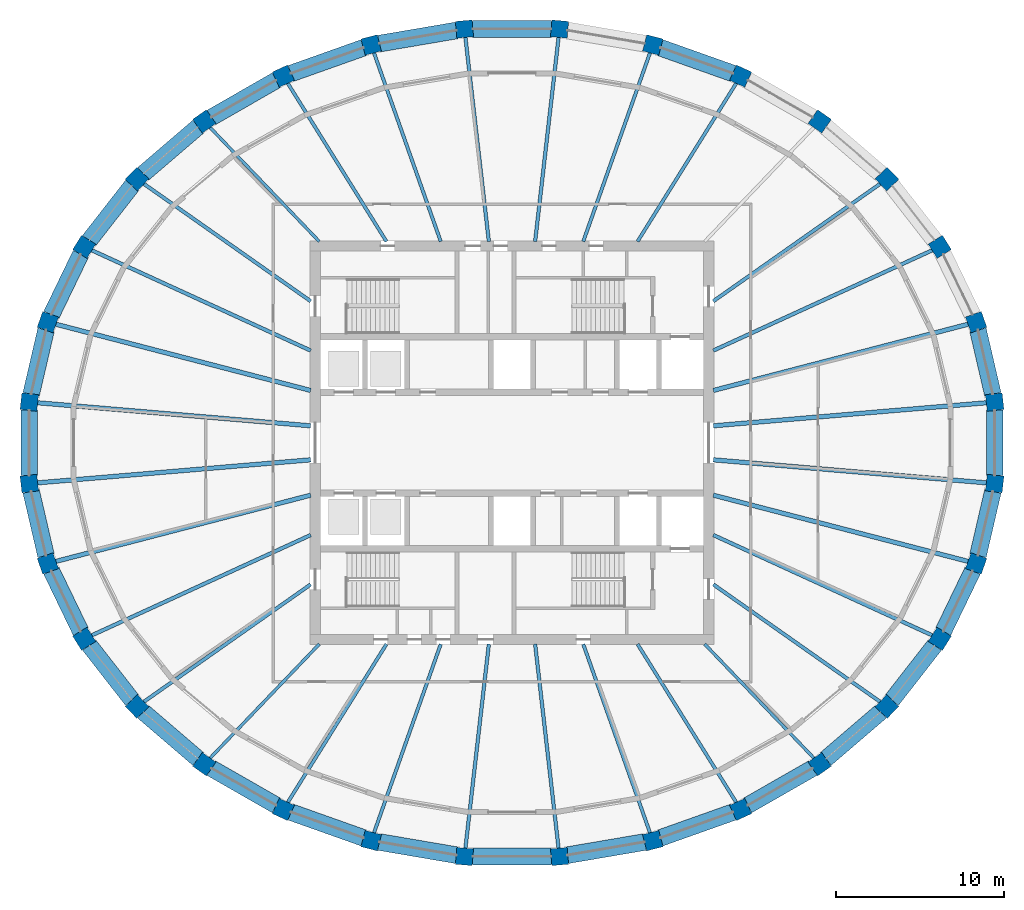
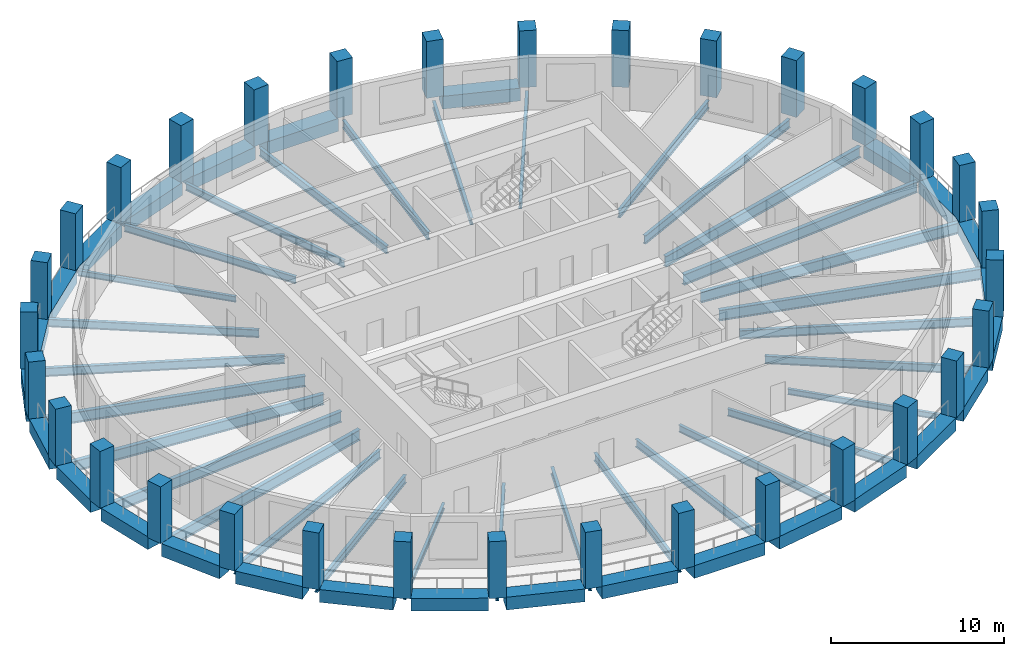
# One storey, part 1 of 10: 58 beams, 32 columns.
"""IFC4 building model written with IfcOpenShell, lengths in metres."""

from ifc_helpers import new_model, si_unit, direction, frame, origin, origin_2d, place, context, subcontext, project, spatial, rectangle, i_section, extrude, material, material_profile, profile_set, type_object, element, save


model = new_model("IFC4")

# Units and contexts
model_context = context("Model", 3, precision=1e-05, world=origin(), true_north=direction((0.0, 1.0)))
body_context = subcontext(model_context, "Body", "Model", "MODEL_VIEW")
ifc_project = project(units=[si_unit("LENGTHUNIT", "METRE"), si_unit("AREAUNIT", "SQUARE_METRE"), si_unit("VOLUMEUNIT", "CUBIC_METRE"), si_unit("PLANEANGLEUNIT", "RADIAN"), si_unit("MASSUNIT", "GRAM", prefix="KILO")], contexts=[model_context])

# Site, building, storey
site_placement = place(None, origin())
site = spatial("IfcSite", under=ifc_project, at=site_placement, CompositionType="ELEMENT")
building_placement = place(site_placement, origin())
building = spatial("IfcBuilding", under=site, at=building_placement, Name="Halqa Exchange Tower", CompositionType="ELEMENT")
storey_placement = place(building_placement, frame((0.0, 0.0, 308.300048828125)))
storey = spatial("IfcBuildingStorey", under=building, at=storey_placement, Name="L72", CompositionType="ELEMENT", Elevation=308.300048828125)

# Columns
ifc_material_1 = material(Name="Concrete C50/60", Category="concrete")
ifc_material_profile_1 = material_profile(ifc_material_1, rectangle(XDim=1.0, YDim=1.0, at=origin_2d()), Name="1000 x 1000")
ifc_profile_set_1 = profile_set([ifc_material_profile_1], Name="Concrete C50/60")
column_type = type_object("IfcColumnType", Name="RC ring column 1000 x 1000 C50/60", PredefinedType="COLUMN", material=ifc_profile_set_1)
for number, where, z_axis, x_axis, name in (
    (1, (28.703125, 2.423095703125, 0.0), (0.0, 0.0, 1.0), (-0.114149986297, 0.993463527578, 0.0), "Ring column 1"),
    (2, (27.60009765625, 7.176513671875, 0.0), (0.0, 0.0, 1.0), (-0.333622588243, 0.942706724604, 0.0), "Ring column 2"),
    (3, (25.4365234375, 11.65380859375, 0.0), (0.0, 0.0, 1.0), (-0.529150863019, 0.848527762755, 0.0), "Ring column 3"),
    (4, (22.295166015625, 15.683349609375, 0.0), (0.0, 0.0, 1.0), (-0.69158113391, 0.722298785282, 0.0), "Ring column 4"),
    (5, (18.297119140625, 19.110107421875, 0.0), (0.0, 0.0, 1.0), (-0.81790376713, 0.575355044919, 0.0), "Ring column 5"),
    (6, (13.59619140625, 21.802734375, 0.0), (0.0, 0.0, 1.0), (-0.909126368869, 0.416520402174, 0.0), "Ring column 6"),
    (7, (8.372314453125, 23.6572265625, 0.0), (0.0, 0.0, 1.0), (-0.967819503571, 0.251645402317, 0.0), "Ring column 7"),
    (8, (2.826904296875, 24.602783203125, 0.0), (0.0, 0.0, 1.0), (-0.996455225341, 0.084124811391, 0.0), "Ring column 8"),
    (9, (-2.826904296875, 24.602783203125, 0.0), (0.0, 0.0, 1.0), (-0.996455225341, -0.084124811391, 0.0), "Ring column 9"),
    (10, (-8.372314453125, 23.6572265625, 0.0), (0.0, 0.0, 1.0), (-0.967819503571, -0.251645402317, 0.0), "Ring column 10"),
    (11, (-13.59619140625, 21.802734375, 0.0), (0.0, 0.0, 1.0), (-0.909126368869, -0.416520402174, 0.0), "Ring column 11"),
    (12, (-18.297119140625, 19.110107421875, 0.0), (0.0, 0.0, 1.0), (-0.81790376713, -0.575355044919, 0.0), "Ring column 12"),
    (13, (-22.295166015625, 15.683349609375, 0.0), (0.0, 0.0, 1.0), (-0.69158113391, -0.722298785282, 0.0), "Ring column 13"),
    (14, (-25.4365234375, 11.65380859375, 0.0), (0.0, 0.0, 1.0), (-0.529150863019, -0.848527762755, 0.0), "Ring column 14"),
    (15, (-27.60009765625, 7.176513671875, 0.0), (0.0, 0.0, 1.0), (-0.333622588243, -0.942706724604, 0.0), "Ring column 15"),
    (16, (-28.703125, 2.423095703125, 0.0), (0.0, 0.0, 1.0), (-0.114149986297, -0.993463527578, 0.0), "Ring column 16"),
    (17, (-28.703125, -2.423095703125, 0.0), (0.0, 0.0, 1.0), (0.114149986297, -0.993463527578, 0.0), "Ring column 17"),
    (18, (-27.60009765625, -7.176513671875, 0.0), (0.0, 0.0, 1.0), (0.333622588243, -0.942706724604, 0.0), "Ring column 18"),
    (19, (-25.4365234375, -11.65380859375, 0.0), (0.0, 0.0, 1.0), (0.529150863019, -0.848527762755, 0.0), "Ring column 19"),
    (20, (-22.295166015625, -15.683349609375, 0.0), (0.0, 0.0, 1.0), (0.69158113391, -0.722298785282, 0.0), "Ring column 20"),
    (21, (-18.297119140625, -19.110107421875, 0.0), (0.0, 0.0, 1.0), (0.81790376713, -0.575355044919, 0.0), "Ring column 21"),
    (22, (-13.59619140625, -21.802734375, 0.0), (0.0, 0.0, 1.0), (0.909126368869, -0.416520402174, 0.0), "Ring column 22"),
    (23, (-8.372314453125, -23.6572265625, 0.0), (0.0, 0.0, 1.0), (0.967819503571, -0.251645402317, 0.0), "Ring column 23"),
    (24, (-2.826904296875, -24.602783203125, 0.0), (0.0, 0.0, 1.0), (0.996455225341, -0.084124811391, 0.0), "Ring column 24"),
    (25, (2.826904296875, -24.602783203125, 0.0), (0.0, 0.0, 1.0), (0.996455225341, 0.084124811391, 0.0), "Ring column 25"),
    (26, (8.372314453125, -23.6572265625, 0.0), (0.0, 0.0, 1.0), (0.967819503571, 0.251645402317, 0.0), "Ring column 26"),
    (27, (13.59619140625, -21.802734375, 0.0), (0.0, 0.0, 1.0), (0.909126368869, 0.416520402174, 0.0), "Ring column 27"),
    (28, (18.297119140625, -19.110107421875, 0.0), (0.0, 0.0, 1.0), (0.81790376713, 0.575355044919, 0.0), "Ring column 28"),
    (29, (22.295166015625, -15.683349609375, 0.0), (0.0, 0.0, 1.0), (0.69158113391, 0.722298785282, 0.0), "Ring column 29"),
    (30, (25.4365234375, -11.65380859375, 0.0), (0.0, 0.0, 1.0), (0.529150863019, 0.848527762755, 0.0), "Ring column 30"),
    (31, (27.60009765625, -7.176513671875, 0.0), (0.0, 0.0, 1.0), (0.333622588243, 0.942706724604, 0.0), "Ring column 31"),
    (32, (28.703125, -2.423095703125, 0.0), (0.0, 0.0, 1.0), (0.114149986297, 0.993463527578, 0.0), "Ring column 32"),
):
    element("IfcColumn", number, at=place(storey_placement, frame(where, z_axis=z_axis, x_axis=x_axis)), inside=storey, type_object=column_type, Name=name, PredefinedType="COLUMN", context=body_context, shape_type="SweptSolid", body=[
        extrude(rectangle(XDim=1.0, YDim=1.0, at=origin_2d()), origin(), (0.0, 0.0, 1.0), 4.0),
    ])

# Beams
ifc_material_2 = material(Name="Steel S355", Category="steel")
ifc_material_profile_2 = material_profile(ifc_material_2, i_section(OverallWidth=0.179931640625, OverallDepth=0.39990234375, WebThickness=0.008544921875, FlangeThickness=0.013427734375, FilletRadius=0.02099609375, at=origin_2d()), Name="IPE 400")
ifc_profile_set_2 = profile_set([ifc_material_profile_2], Name="Steel S355")
beam_type_1 = type_object("IfcBeamType", Name="Floor beam IPE 400", PredefinedType="BEAM", material=ifc_profile_set_2)
for number, where, z_axis, x_axis, name in (
    (33, (-11.46240234375, 11.9716796875, -0.5), (-0.69157007379, 0.722309374879, 0.0), (-0.722309374879, -0.69157007379, 0.0), "Radial beam 12"),
    (34, (-11.46240234375, -11.9716796875, -0.5), (-0.69157007379, -0.722309374879, 0.0), (0.722309374879, -0.69157007379, 0.0), "Radial beam 21"),
    (35, (11.46240234375, -11.9716796875, -0.5), (0.69157007379, -0.722309374879, 0.0), (0.722309374879, 0.69157007379, 0.0), "Radial beam 28"),
):
    element("IfcBeam", number, at=place(storey_placement, frame(where, z_axis=z_axis, x_axis=x_axis)), inside=storey, type_object=beam_type_1, Name=name, PredefinedType="BEAM", context=body_context, shape_type="SweptSolid", body=[
        extrude(i_section(OverallWidth=0.179931640625, OverallDepth=0.39990234375, WebThickness=0.008544921875, FlangeThickness=0.013427734375, FilletRadius=0.02099609375, at=origin_2d()), origin(), (0.0, 0.0, 1.0), 9.5068359375),
    ])
ifc_material_profile_3 = material_profile(ifc_material_2, i_section(OverallWidth=0.199951171875, OverallDepth=0.5, WebThickness=0.01025390625, FlangeThickness=0.01611328125, FilletRadius=0.02099609375, at=origin_2d()), Name="IPE 500")
ifc_profile_set_3 = profile_set([ifc_material_profile_3], Name="Steel S355")
beam_type_2 = type_object("IfcBeamType", Name="Floor beam IPE 500", PredefinedType="BEAM", material=ifc_profile_set_3)
beam_1_placement = place(storey_placement, frame((7.4658203125, 11.97216796875, -0.550048828125), z_axis=(0.529147047126, 0.848530142374, 0.0), x_axis=(-0.848530142374, 0.529147047126, 0.0)))
element("IfcBeam", 36, at=beam_1_placement, inside=storey, type_object=beam_type_2, Name="Radial beam 6", PredefinedType="BEAM", context=body_context, shape_type="SweptSolid", body=[
    extrude(i_section(OverallWidth=0.199951171875, OverallDepth=0.5, WebThickness=0.01025390625, FlangeThickness=0.01611328125, FilletRadius=0.02099609375, at=origin_2d()), origin(), (0.0, 0.0, 1.0), 11.20947265625),
])
for number, where, z_axis, x_axis, name in (
    (37, (4.237060546875, 11.97216796875, -0.550048828125), (0.33361780308, 0.942708418053, 0.0), (-0.942708418053, 0.33361780308, 0.0), "Radial beam 7"),
    (38, (-4.237060546875, 11.97216796875, -0.550048828125), (-0.33361780308, 0.942708418053, 0.0), (-0.942708418053, -0.33361780308, 0.0), "Radial beam 10"),
):
    element("IfcBeam", number, at=place(storey_placement, frame(where, z_axis=z_axis, x_axis=x_axis)), inside=storey, type_object=beam_type_2, Name=name, PredefinedType="BEAM", context=body_context, shape_type="SweptSolid", body=[
        extrude(i_section(OverallWidth=0.199951171875, OverallDepth=0.5, WebThickness=0.01025390625, FlangeThickness=0.01611328125, FilletRadius=0.02099609375, at=origin_2d()), origin(), (0.0, 0.0, 1.0), 12.021240234375),
    ])
for number, where, z_axis, x_axis, name in (
    (39, (-7.4658203125, 11.97216796875, -0.550048828125), (-0.529147047126, 0.848530142374, 0.0), (-0.848530142374, -0.529147047126, 0.0), "Radial beam 11"),
    (40, (-7.4658203125, -11.97216796875, -0.550048828125), (-0.529147047126, -0.848530142374, 0.0), (0.848530142374, -0.529147047126, 0.0), "Radial beam 22"),
):
    element("IfcBeam", number, at=place(storey_placement, frame(where, z_axis=z_axis, x_axis=x_axis)), inside=storey, type_object=beam_type_2, Name=name, PredefinedType="BEAM", context=body_context, shape_type="SweptSolid", body=[
        extrude(i_section(OverallWidth=0.199951171875, OverallDepth=0.5, WebThickness=0.01025390625, FlangeThickness=0.01611328125, FilletRadius=0.02099609375, at=origin_2d()), origin(), (0.0, 0.0, 1.0), 11.20947265625),
    ])
for number, where, z_axis, x_axis, name in (
    (41, (-4.237060546875, -11.97216796875, -0.550048828125), (-0.33361780308, -0.942708418053, 0.0), (0.942708418053, -0.33361780308, 0.0), "Radial beam 23"),
    (42, (4.237060546875, -11.97216796875, -0.550048828125), (0.33361780308, -0.942708418053, 0.0), (0.942708418053, 0.33361780308, 0.0), "Radial beam 26"),
):
    element("IfcBeam", number, at=place(storey_placement, frame(where, z_axis=z_axis, x_axis=x_axis)), inside=storey, type_object=beam_type_2, Name=name, PredefinedType="BEAM", context=body_context, shape_type="SweptSolid", body=[
        extrude(i_section(OverallWidth=0.199951171875, OverallDepth=0.5, WebThickness=0.01025390625, FlangeThickness=0.01611328125, FilletRadius=0.02099609375, at=origin_2d()), origin(), (0.0, 0.0, 1.0), 12.021240234375),
    ])
beam_2_placement = place(storey_placement, frame((7.4658203125, -11.97216796875, -0.550048828125), z_axis=(0.529147047126, -0.848530142374, 0.0), x_axis=(0.848530142374, 0.529147047126, 0.0)))
element("IfcBeam", 43, at=beam_2_placement, inside=storey, type_object=beam_type_2, Name="Radial beam 27", PredefinedType="BEAM", context=body_context, shape_type="SweptSolid", body=[
    extrude(i_section(OverallWidth=0.199951171875, OverallDepth=0.5, WebThickness=0.01025390625, FlangeThickness=0.01611328125, FilletRadius=0.02099609375, at=origin_2d()), origin(), (0.0, 0.0, 1.0), 11.20947265625),
])
ifc_material_profile_4 = material_profile(ifc_material_2, i_section(OverallWidth=0.2099609375, OverallDepth=0.550048828125, WebThickness=0.010986328125, FlangeThickness=0.01708984375, FilletRadius=0.02392578125, at=origin_2d()), Name="IPE 550")
ifc_profile_set_4 = profile_set([ifc_material_profile_4], Name="Steel S355")
beam_type_3 = type_object("IfcBeamType", Name="Floor beam IPE 550", PredefinedType="BEAM", material=ifc_profile_set_4)
beam_3_placement = place(storey_placement, frame((11.97265625, 8.422119140625, -0.574951171875), z_axis=(0.817912755627, 0.575342266988, 0.0), x_axis=(-0.575342266988, 0.817912755627, 0.0)))
element("IfcBeam", 44, at=beam_3_placement, inside=storey, type_object=beam_type_3, Name="Radial beam 4", PredefinedType="BEAM", context=body_context, shape_type="SweptSolid", body=[
    extrude(i_section(OverallWidth=0.2099609375, OverallDepth=0.550048828125, WebThickness=0.010986328125, FlangeThickness=0.01708984375, FilletRadius=0.02392578125, at=origin_2d()), origin(), (0.0, 0.0, 1.0), 12.24462890625),
])
for number, where, z_axis, x_axis, name in (
    (45, (1.37548828125, 11.9716796875, -0.574951171875), (0.114156338833, 0.993462797645, 0.0), (-0.993462797645, 0.114156338833, 0.0), "Radial beam 8"),
    (46, (-1.37548828125, 11.9716796875, -0.574951171875), (-0.114156338833, 0.993462797645, 0.0), (-0.993462797645, -0.114156338833, 0.0), "Radial beam 9"),
):
    element("IfcBeam", number, at=place(storey_placement, frame(where, z_axis=z_axis, x_axis=x_axis)), inside=storey, type_object=beam_type_3, Name=name, PredefinedType="BEAM", context=body_context, shape_type="SweptSolid", body=[
        extrude(i_section(OverallWidth=0.2099609375, OverallDepth=0.550048828125, WebThickness=0.010986328125, FlangeThickness=0.01708984375, FilletRadius=0.02392578125, at=origin_2d()), origin(), (0.0, 0.0, 1.0), 12.342041015625),
    ])
for number, where, z_axis, x_axis, name in (
    (47, (-11.97265625, 8.422119140625, -0.574951171875), (-0.817912755627, 0.575342266988, 0.0), (-0.575342266988, -0.817912755627, 0.0), "Radial beam 13"),
    (48, (-11.97265625, -8.422119140625, -0.574951171875), (-0.817912755627, -0.575342266988, 0.0), (0.575342266988, -0.817912755627, 0.0), "Radial beam 20"),
):
    element("IfcBeam", number, at=place(storey_placement, frame(where, z_axis=z_axis, x_axis=x_axis)), inside=storey, type_object=beam_type_3, Name=name, PredefinedType="BEAM", context=body_context, shape_type="SweptSolid", body=[
        extrude(i_section(OverallWidth=0.2099609375, OverallDepth=0.550048828125, WebThickness=0.010986328125, FlangeThickness=0.01708984375, FilletRadius=0.02392578125, at=origin_2d()), origin(), (0.0, 0.0, 1.0), 12.24462890625),
    ])
for number, where, z_axis, x_axis, name in (
    (49, (-1.37548828125, -11.9716796875, -0.574951171875), (-0.114156338833, -0.993462797645, 0.0), (0.993462797645, -0.114156338833, 0.0), "Radial beam 24"),
    (50, (1.37548828125, -11.9716796875, -0.574951171875), (0.114156338833, -0.993462797645, 0.0), (0.993462797645, 0.114156338833, 0.0), "Radial beam 25"),
):
    element("IfcBeam", number, at=place(storey_placement, frame(where, z_axis=z_axis, x_axis=x_axis)), inside=storey, type_object=beam_type_3, Name=name, PredefinedType="BEAM", context=body_context, shape_type="SweptSolid", body=[
        extrude(i_section(OverallWidth=0.2099609375, OverallDepth=0.550048828125, WebThickness=0.010986328125, FlangeThickness=0.01708984375, FilletRadius=0.02392578125, at=origin_2d()), origin(), (0.0, 0.0, 1.0), 12.342041015625),
    ])
beam_4_placement = place(storey_placement, frame((11.97265625, -8.422119140625, -0.574951171875), z_axis=(0.817912755627, -0.575342266988, 0.0), x_axis=(0.575342266988, 0.817912755627, 0.0)))
element("IfcBeam", 51, at=beam_4_placement, inside=storey, type_object=beam_type_3, Name="Radial beam 29", PredefinedType="BEAM", context=body_context, shape_type="SweptSolid", body=[
    extrude(i_section(OverallWidth=0.2099609375, OverallDepth=0.550048828125, WebThickness=0.010986328125, FlangeThickness=0.01708984375, FilletRadius=0.02392578125, at=origin_2d()), origin(), (0.0, 0.0, 1.0), 12.24462890625),
])
ifc_material_profile_5 = material_profile(ifc_material_2, i_section(OverallWidth=0.219970703125, OverallDepth=0.60009765625, WebThickness=0.011962890625, FlangeThickness=0.01904296875, FilletRadius=0.02392578125, at=origin_2d()), Name="IPE 600")
ifc_profile_set_5 = profile_set([ifc_material_profile_5], Name="Steel S355")
beam_type_4 = type_object("IfcBeamType", Name="Floor beam IPE 600", PredefinedType="BEAM", material=ifc_profile_set_5)
for number, where, z_axis, x_axis, name in (
    (52, (11.97216796875, 5.485107421875, -0.60009765625), (0.909125140618, 0.41652308303, 0.0), (-0.41652308303, 0.909125140618, 0.0), "Radial beam 3"),
    (53, (-11.97216796875, 5.485107421875, -0.60009765625), (-0.909125140618, 0.41652308303, 0.0), (-0.41652308303, -0.909125140618, 0.0), "Radial beam 14"),
    (54, (-11.97216796875, -5.485107421875, -0.60009765625), (-0.909125140618, -0.41652308303, 0.0), (0.41652308303, -0.909125140618, 0.0), "Radial beam 19"),
    (55, (11.97216796875, -5.485107421875, -0.60009765625), (0.909125140618, -0.41652308303, 0.0), (0.41652308303, 0.909125140618, 0.0), "Radial beam 30"),
):
    element("IfcBeam", number, at=place(storey_placement, frame(where, z_axis=z_axis, x_axis=x_axis)), inside=storey, type_object=beam_type_4, Name=name, PredefinedType="BEAM", context=body_context, shape_type="SweptSolid", body=[
        extrude(i_section(OverallWidth=0.219970703125, OverallDepth=0.60009765625, WebThickness=0.011962890625, FlangeThickness=0.01904296875, FilletRadius=0.02392578125, at=origin_2d()), origin(), (0.0, 0.0, 1.0), 14.434326171875),
    ])
ifc_material_profile_6 = material_profile(ifc_material_2, i_section(OverallWidth=0.264892578125, OverallDepth=0.7529296875, WebThickness=0.01318359375, FlangeThickness=0.01708984375, FilletRadius=0.01708984375, at=origin_2d()), Name="IPE 750x147")
ifc_profile_set_6 = profile_set([ifc_material_profile_6], Name="Steel S355")
beam_type_5 = type_object("IfcBeamType", Name="Floor beam IPE 750x147", PredefinedType="BEAM", material=ifc_profile_set_6)
beam_5_placement = place(storey_placement, frame((11.972900390625, 1.0107421875, -0.676513671875), z_axis=(0.996455440851, 0.084122258635, 0.0), x_axis=(-0.084122258635, 0.996455440851, 0.0)))
element("IfcBeam", 56, at=beam_5_placement, inside=storey, type_object=beam_type_5, Name="Radial beam 1", PredefinedType="BEAM", context=body_context, shape_type="SweptSolid", body=[
    extrude(i_section(OverallWidth=0.264892578125, OverallDepth=0.7529296875, WebThickness=0.01318359375, FlangeThickness=0.01708984375, FilletRadius=0.01708984375, at=origin_2d()), origin(), (0.0, 0.0, 1.0), 16.417724609375),
])
for number, where, z_axis, x_axis, name in (
    (57, (11.97265625, 3.113037109375, -0.676513671875), (0.967819792686, 0.25164429039, 0.0), (-0.25164429039, 0.967819792686, 0.0), "Radial beam 2"),
    (58, (-11.97265625, 3.113037109375, -0.676513671875), (-0.967819792686, 0.25164429039, 0.0), (-0.25164429039, -0.967819792686, 0.0), "Radial beam 15"),
):
    element("IfcBeam", number, at=place(storey_placement, frame(where, z_axis=z_axis, x_axis=x_axis)), inside=storey, type_object=beam_type_5, Name=name, PredefinedType="BEAM", context=body_context, shape_type="SweptSolid", body=[
        extrude(i_section(OverallWidth=0.264892578125, OverallDepth=0.7529296875, WebThickness=0.01318359375, FlangeThickness=0.01708984375, FilletRadius=0.01708984375, at=origin_2d()), origin(), (0.0, 0.0, 1.0), 15.773193359375),
    ])
for number, where, z_axis, x_axis, name in (
    (59, (-11.972900390625, 1.0107421875, -0.676513671875), (-0.996455440851, 0.084122258635, 0.0), (-0.084122258635, -0.996455440851, 0.0), "Radial beam 16"),
    (60, (-11.972900390625, -1.0107421875, -0.676513671875), (-0.996455440851, -0.084122258635, 0.0), (0.084122258635, -0.996455440851, 0.0), "Radial beam 17"),
):
    element("IfcBeam", number, at=place(storey_placement, frame(where, z_axis=z_axis, x_axis=x_axis)), inside=storey, type_object=beam_type_5, Name=name, PredefinedType="BEAM", context=body_context, shape_type="SweptSolid", body=[
        extrude(i_section(OverallWidth=0.264892578125, OverallDepth=0.7529296875, WebThickness=0.01318359375, FlangeThickness=0.01708984375, FilletRadius=0.01708984375, at=origin_2d()), origin(), (0.0, 0.0, 1.0), 16.417724609375),
    ])
for number, where, z_axis, x_axis, name in (
    (61, (-11.97265625, -3.113037109375, -0.676513671875), (-0.967819792686, -0.25164429039, 0.0), (0.25164429039, -0.967819792686, 0.0), "Radial beam 18"),
    (62, (11.97265625, -3.113037109375, -0.676513671875), (0.967819792686, -0.25164429039, 0.0), (0.25164429039, 0.967819792686, 0.0), "Radial beam 31"),
):
    element("IfcBeam", number, at=place(storey_placement, frame(where, z_axis=z_axis, x_axis=x_axis)), inside=storey, type_object=beam_type_5, Name=name, PredefinedType="BEAM", context=body_context, shape_type="SweptSolid", body=[
        extrude(i_section(OverallWidth=0.264892578125, OverallDepth=0.7529296875, WebThickness=0.01318359375, FlangeThickness=0.01708984375, FilletRadius=0.01708984375, at=origin_2d()), origin(), (0.0, 0.0, 1.0), 15.773193359375),
    ])
beam_6_placement = place(storey_placement, frame((11.972900390625, -1.0107421875, -0.676513671875), z_axis=(0.996455440851, -0.084122258635, 0.0), x_axis=(0.084122258635, 0.996455440851, 0.0)))
element("IfcBeam", 63, at=beam_6_placement, inside=storey, type_object=beam_type_5, Name="Radial beam 32", PredefinedType="BEAM", context=body_context, shape_type="SweptSolid", body=[
    extrude(i_section(OverallWidth=0.264892578125, OverallDepth=0.7529296875, WebThickness=0.01318359375, FlangeThickness=0.01708984375, FilletRadius=0.01708984375, at=origin_2d()), origin(), (0.0, 0.0, 1.0), 16.417724609375),
])
ifc_material_3 = material(Name="Concrete C60/75", Category="concrete")
ifc_material_profile_7 = material_profile(ifc_material_3, rectangle(XDim=1.0, YDim=0.89990234375, at=origin_2d()), Name="1000 x 900")
ifc_profile_set_7 = profile_set([ifc_material_profile_7], Name="Concrete C60/75")
beam_type_6 = type_object("IfcBeamType", Name="RC spandrel beam 1000 x 900 C60/75", PredefinedType="SPANDREL", material=ifc_profile_set_7)
beam_7_placement = place(storey_placement, frame((28.595703125, 2.885986328125, -0.449951171875), z_axis=(-0.225998131545, 0.974127735227, 0.0), x_axis=(-0.974127735227, -0.225998131545, 0.0)))
element("IfcBeam", 64, at=beam_7_placement, inside=storey, type_object=beam_type_6, Name="Spandrel 1", PredefinedType="SPANDREL", context=body_context, shape_type="SweptSolid", body=[
    extrude(rectangle(XDim=1.0, YDim=0.89990234375, at=origin_2d()), origin(), (0.0, 0.0, 1.0), 3.929931640625),
])
beam_8_placement = place(storey_placement, frame((13.149658203125, 21.961181640625, -0.449951171875), z_axis=(-0.942369952676, 0.33457267117, 0.0), x_axis=(-0.33457267117, -0.942369952676, 0.0)))
element("IfcBeam", 65, at=beam_8_placement, inside=storey, type_object=beam_type_6, Name="Spandrel 6", PredefinedType="SPANDREL", context=body_context, shape_type="SweptSolid", body=[
    extrude(rectangle(XDim=1.0, YDim=0.89990234375, at=origin_2d()), origin(), (0.0, 0.0, 1.0), 4.596435546875),
])
beam_9_placement = place(storey_placement, frame((2.35302734375, 24.602783203125, -0.449951171875), z_axis=(-1.0, 0.0, 0.0), x_axis=(0.0, -1.0, 0.0)))
element("IfcBeam", 66, at=beam_9_placement, inside=storey, type_object=beam_type_6, Name="Spandrel 8", PredefinedType="SPANDREL", context=body_context, shape_type="SweptSolid", body=[
    extrude(rectangle(XDim=1.0, YDim=0.89990234375, at=origin_2d()), origin(), (0.0, 0.0, 1.0), 4.7060546875),
])
beam_10_placement = place(storey_placement, frame((-3.294189453125, 24.523193359375, -0.449951171875), z_axis=(-0.985773363279, -0.168079969805, 0.0), x_axis=(0.168079969805, -0.985773363279, 0.0)))
element("IfcBeam", 67, at=beam_10_placement, inside=storey, type_object=beam_type_6, Name="Spandrel 9", PredefinedType="SPANDREL", context=body_context, shape_type="SweptSolid", body=[
    extrude(rectangle(XDim=1.0, YDim=0.89990234375, at=origin_2d()), origin(), (0.0, 0.0, 1.0), 4.67724609375),
])
beam_11_placement = place(storey_placement, frame((-8.818115234375, 23.4990234375, -0.449951171875), z_axis=(-0.942369952676, -0.33457267117, 0.0), x_axis=(0.33457267117, -0.942369952676, 0.0)))
element("IfcBeam", 68, at=beam_11_placement, inside=storey, type_object=beam_type_6, Name="Spandrel 10", PredefinedType="SPANDREL", context=body_context, shape_type="SweptSolid", body=[
    extrude(rectangle(XDim=1.0, YDim=0.89990234375, at=origin_2d()), origin(), (0.0, 0.0, 1.0), 4.596435546875),
])
beam_12_placement = place(storey_placement, frame((-14.008056640625, 21.56689453125, -0.449951171875), z_axis=(-0.867738419342, -0.497021162123, 0.0), x_axis=(0.497021162123, -0.867738419342, 0.0)))
element("IfcBeam", 69, at=beam_12_placement, inside=storey, type_object=beam_type_6, Name="Spandrel 11", PredefinedType="SPANDREL", context=body_context, shape_type="SweptSolid", body=[
    extrude(rectangle(XDim=1.0, YDim=0.89990234375, at=origin_2d()), origin(), (0.0, 0.0, 1.0), 4.468994140625),
])
beam_13_placement = place(storey_placement, frame((-18.65771484375, 18.801025390625, -0.449951171875), z_axis=(-0.759264587282, -0.650782057604, 0.0), x_axis=(0.650782057604, -0.759264587282, 0.0)))
element("IfcBeam", 70, at=beam_13_placement, inside=storey, type_object=beam_type_6, Name="Spandrel 12", PredefinedType="SPANDREL", context=body_context, shape_type="SweptSolid", body=[
    extrude(rectangle(XDim=1.0, YDim=0.89990234375, at=origin_2d()), origin(), (0.0, 0.0, 1.0), 4.31640625),
])
beam_14_placement = place(storey_placement, frame((-22.58642578125, 15.309814453125, -0.449951171875), z_axis=(-0.614813616622, -0.788672439493, 0.0), x_axis=(0.788672439493, -0.614813616622, 0.0)))
element("IfcBeam", 71, at=beam_14_placement, inside=storey, type_object=beam_type_6, Name="Spandrel 13", PredefinedType="SPANDREL", context=body_context, shape_type="SweptSolid", body=[
    extrude(rectangle(XDim=1.0, YDim=0.89990234375, at=origin_2d()), origin(), (0.0, 0.0, 1.0), 4.160888671875),
])
beam_15_placement = place(storey_placement, frame((-25.642822265625, 11.226806640625, -0.449951171875), z_axis=(-0.43510880849, -0.900377878879, 0.0), x_axis=(0.900377878879, -0.43510880849, 0.0)))
element("IfcBeam", 72, at=beam_15_placement, inside=storey, type_object=beam_type_6, Name="Spandrel 14", PredefinedType="SPANDREL", context=body_context, shape_type="SweptSolid", body=[
    extrude(rectangle(XDim=1.0, YDim=0.89990234375, at=origin_2d()), origin(), (0.0, 0.0, 1.0), 4.023193359375),
])
beam_16_placement = place(storey_placement, frame((-27.70751953125, 6.71435546875, -0.449951171875), z_axis=(-0.225998131545, -0.974127735227, 0.0), x_axis=(0.974127735227, -0.225998131545, 0.0)))
element("IfcBeam", 73, at=beam_16_placement, inside=storey, type_object=beam_type_6, Name="Spandrel 15", PredefinedType="SPANDREL", context=body_context, shape_type="SweptSolid", body=[
    extrude(rectangle(XDim=1.0, YDim=0.89990234375, at=origin_2d()), origin(), (0.0, 0.0, 1.0), 3.929931640625),
])
beam_17_placement = place(storey_placement, frame((-28.703125, 1.947998046875, -0.449951171875), z_axis=(0.0, -1.0, 0.0), x_axis=(1.0, 0.0, 0.0)))
element("IfcBeam", 74, at=beam_17_placement, inside=storey, type_object=beam_type_6, Name="Spandrel 16", PredefinedType="SPANDREL", context=body_context, shape_type="SweptSolid", body=[
    extrude(rectangle(XDim=1.0, YDim=0.89990234375, at=origin_2d()), origin(), (0.0, 0.0, 1.0), 3.89599609375),
])
beam_18_placement = place(storey_placement, frame((-28.595703125, -2.885986328125, -0.449951171875), z_axis=(0.225998131545, -0.974127735227, 0.0), x_axis=(0.974127735227, 0.225998131545, 0.0)))
element("IfcBeam", 75, at=beam_18_placement, inside=storey, type_object=beam_type_6, Name="Spandrel 17", PredefinedType="SPANDREL", context=body_context, shape_type="SweptSolid", body=[
    extrude(rectangle(XDim=1.0, YDim=0.89990234375, at=origin_2d()), origin(), (0.0, 0.0, 1.0), 3.929931640625),
])
beam_19_placement = place(storey_placement, frame((-27.393310546875, -7.6044921875, -0.449951171875), z_axis=(0.43510880849, -0.900377878879, 0.0), x_axis=(0.900377878879, 0.43510880849, 0.0)))
element("IfcBeam", 76, at=beam_19_placement, inside=storey, type_object=beam_type_6, Name="Spandrel 18", PredefinedType="SPANDREL", context=body_context, shape_type="SweptSolid", body=[
    extrude(rectangle(XDim=1.0, YDim=0.89990234375, at=origin_2d()), origin(), (0.0, 0.0, 1.0), 4.023193359375),
])
beam_20_placement = place(storey_placement, frame((-25.14453125, -12.0283203125, -0.449951171875), z_axis=(0.614813616622, -0.788672439493, 0.0), x_axis=(0.788672439493, 0.614813616622, 0.0)))
element("IfcBeam", 77, at=beam_20_placement, inside=storey, type_object=beam_type_6, Name="Spandrel 19", PredefinedType="SPANDREL", context=body_context, shape_type="SweptSolid", body=[
    extrude(rectangle(XDim=1.0, YDim=0.89990234375, at=origin_2d()), origin(), (0.0, 0.0, 1.0), 4.160888671875),
])
beam_21_placement = place(storey_placement, frame((-21.93505859375, -15.991943359375, -0.449951171875), z_axis=(0.759264587282, -0.650782057604, 0.0), x_axis=(0.650782057604, 0.759264587282, 0.0)))
element("IfcBeam", 78, at=beam_21_placement, inside=storey, type_object=beam_type_6, Name="Spandrel 20", PredefinedType="SPANDREL", context=body_context, shape_type="SweptSolid", body=[
    extrude(rectangle(XDim=1.0, YDim=0.89990234375, at=origin_2d()), origin(), (0.0, 0.0, 1.0), 4.31640625),
])
beam_22_placement = place(storey_placement, frame((-17.885986328125, -19.345703125, -0.449951171875), z_axis=(0.867738419342, -0.497021162123, 0.0), x_axis=(0.497021162123, 0.867738419342, 0.0)))
element("IfcBeam", 79, at=beam_22_placement, inside=storey, type_object=beam_type_6, Name="Spandrel 21", PredefinedType="SPANDREL", context=body_context, shape_type="SweptSolid", body=[
    extrude(rectangle(XDim=1.0, YDim=0.89990234375, at=origin_2d()), origin(), (0.0, 0.0, 1.0), 4.468994140625),
])
beam_23_placement = place(storey_placement, frame((-13.149658203125, -21.961181640625, -0.449951171875), z_axis=(0.942369952676, -0.33457267117, 0.0), x_axis=(0.33457267117, 0.942369952676, 0.0)))
element("IfcBeam", 80, at=beam_23_placement, inside=storey, type_object=beam_type_6, Name="Spandrel 22", PredefinedType="SPANDREL", context=body_context, shape_type="SweptSolid", body=[
    extrude(rectangle(XDim=1.0, YDim=0.89990234375, at=origin_2d()), origin(), (0.0, 0.0, 1.0), 4.596435546875),
])
beam_24_placement = place(storey_placement, frame((-7.90478515625, -23.737060546875, -0.449951171875), z_axis=(0.985773363279, -0.168079969805, 0.0), x_axis=(0.168079969805, 0.985773363279, 0.0)))
element("IfcBeam", 81, at=beam_24_placement, inside=storey, type_object=beam_type_6, Name="Spandrel 23", PredefinedType="SPANDREL", context=body_context, shape_type="SweptSolid", body=[
    extrude(rectangle(XDim=1.0, YDim=0.89990234375, at=origin_2d()), origin(), (0.0, 0.0, 1.0), 4.67724609375),
])
beam_25_placement = place(storey_placement, frame((-2.35302734375, -24.602783203125, -0.449951171875), z_axis=(1.0, 0.0, 0.0), x_axis=(0.0, 1.0, 0.0)))
element("IfcBeam", 82, at=beam_25_placement, inside=storey, type_object=beam_type_6, Name="Spandrel 24", PredefinedType="SPANDREL", context=body_context, shape_type="SweptSolid", body=[
    extrude(rectangle(XDim=1.0, YDim=0.89990234375, at=origin_2d()), origin(), (0.0, 0.0, 1.0), 4.7060546875),
])
beam_26_placement = place(storey_placement, frame((3.294189453125, -24.523193359375, -0.449951171875), z_axis=(0.985773363279, 0.168079969805, 0.0), x_axis=(-0.168079969805, 0.985773363279, 0.0)))
element("IfcBeam", 83, at=beam_26_placement, inside=storey, type_object=beam_type_6, Name="Spandrel 25", PredefinedType="SPANDREL", context=body_context, shape_type="SweptSolid", body=[
    extrude(rectangle(XDim=1.0, YDim=0.89990234375, at=origin_2d()), origin(), (0.0, 0.0, 1.0), 4.67724609375),
])
beam_27_placement = place(storey_placement, frame((8.818115234375, -23.4990234375, -0.449951171875), z_axis=(0.942369952676, 0.33457267117, 0.0), x_axis=(-0.33457267117, 0.942369952676, 0.0)))
element("IfcBeam", 84, at=beam_27_placement, inside=storey, type_object=beam_type_6, Name="Spandrel 26", PredefinedType="SPANDREL", context=body_context, shape_type="SweptSolid", body=[
    extrude(rectangle(XDim=1.0, YDim=0.89990234375, at=origin_2d()), origin(), (0.0, 0.0, 1.0), 4.596435546875),
])
beam_28_placement = place(storey_placement, frame((14.008056640625, -21.56689453125, -0.449951171875), z_axis=(0.867738419342, 0.497021162123, 0.0), x_axis=(-0.497021162123, 0.867738419342, 0.0)))
element("IfcBeam", 85, at=beam_28_placement, inside=storey, type_object=beam_type_6, Name="Spandrel 27", PredefinedType="SPANDREL", context=body_context, shape_type="SweptSolid", body=[
    extrude(rectangle(XDim=1.0, YDim=0.89990234375, at=origin_2d()), origin(), (0.0, 0.0, 1.0), 4.468994140625),
])
beam_29_placement = place(storey_placement, frame((18.65771484375, -18.801025390625, -0.449951171875), z_axis=(0.759264587282, 0.650782057604, 0.0), x_axis=(-0.650782057604, 0.759264587282, 0.0)))
element("IfcBeam", 86, at=beam_29_placement, inside=storey, type_object=beam_type_6, Name="Spandrel 28", PredefinedType="SPANDREL", context=body_context, shape_type="SweptSolid", body=[
    extrude(rectangle(XDim=1.0, YDim=0.89990234375, at=origin_2d()), origin(), (0.0, 0.0, 1.0), 4.31640625),
])
beam_30_placement = place(storey_placement, frame((22.58642578125, -15.309814453125, -0.449951171875), z_axis=(0.614813616622, 0.788672439493, 0.0), x_axis=(-0.788672439493, 0.614813616622, 0.0)))
element("IfcBeam", 87, at=beam_30_placement, inside=storey, type_object=beam_type_6, Name="Spandrel 29", PredefinedType="SPANDREL", context=body_context, shape_type="SweptSolid", body=[
    extrude(rectangle(XDim=1.0, YDim=0.89990234375, at=origin_2d()), origin(), (0.0, 0.0, 1.0), 4.160888671875),
])
beam_31_placement = place(storey_placement, frame((25.642822265625, -11.226806640625, -0.449951171875), z_axis=(0.43510880849, 0.900377878879, 0.0), x_axis=(-0.900377878879, 0.43510880849, 0.0)))
element("IfcBeam", 88, at=beam_31_placement, inside=storey, type_object=beam_type_6, Name="Spandrel 30", PredefinedType="SPANDREL", context=body_context, shape_type="SweptSolid", body=[
    extrude(rectangle(XDim=1.0, YDim=0.89990234375, at=origin_2d()), origin(), (0.0, 0.0, 1.0), 4.023193359375),
])
beam_32_placement = place(storey_placement, frame((27.70751953125, -6.71435546875, -0.449951171875), z_axis=(0.225998131545, 0.974127735227, 0.0), x_axis=(-0.974127735227, 0.225998131545, 0.0)))
element("IfcBeam", 89, at=beam_32_placement, inside=storey, type_object=beam_type_6, Name="Spandrel 31", PredefinedType="SPANDREL", context=body_context, shape_type="SweptSolid", body=[
    extrude(rectangle(XDim=1.0, YDim=0.89990234375, at=origin_2d()), origin(), (0.0, 0.0, 1.0), 3.929931640625),
])
beam_33_placement = place(storey_placement, frame((28.703125, -1.947998046875, -0.449951171875), z_axis=(0.0, 1.0, 0.0), x_axis=(-1.0, 0.0, 0.0)))
element("IfcBeam", 90, at=beam_33_placement, inside=storey, type_object=beam_type_6, Name="Spandrel 32", PredefinedType="SPANDREL", context=body_context, shape_type="SweptSolid", body=[
    extrude(rectangle(XDim=1.0, YDim=0.89990234375, at=origin_2d()), origin(), (0.0, 0.0, 1.0), 3.89599609375),
])

save(model, "model.ifc")
